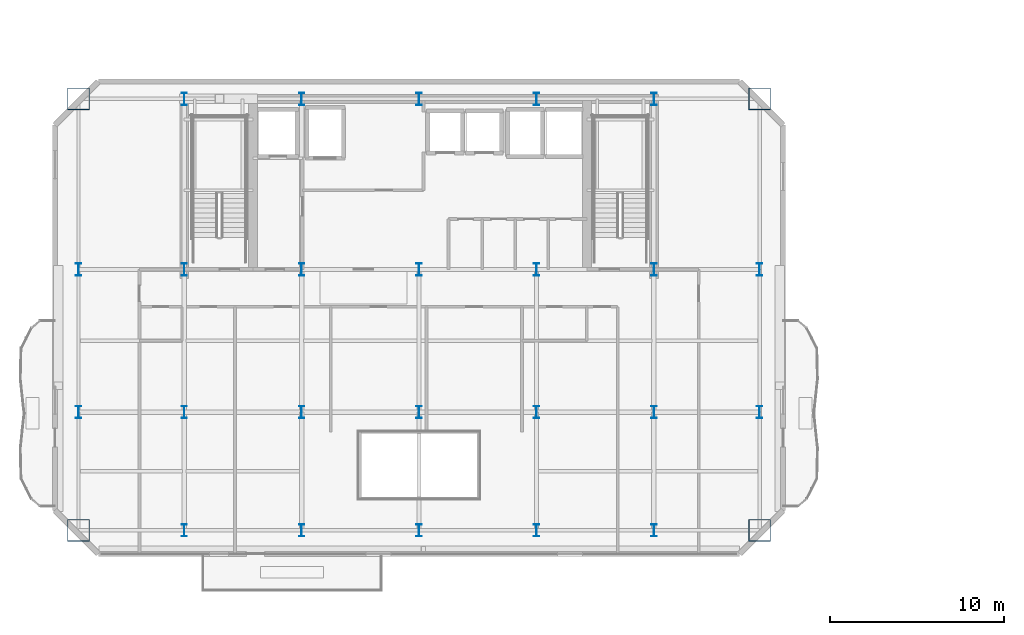
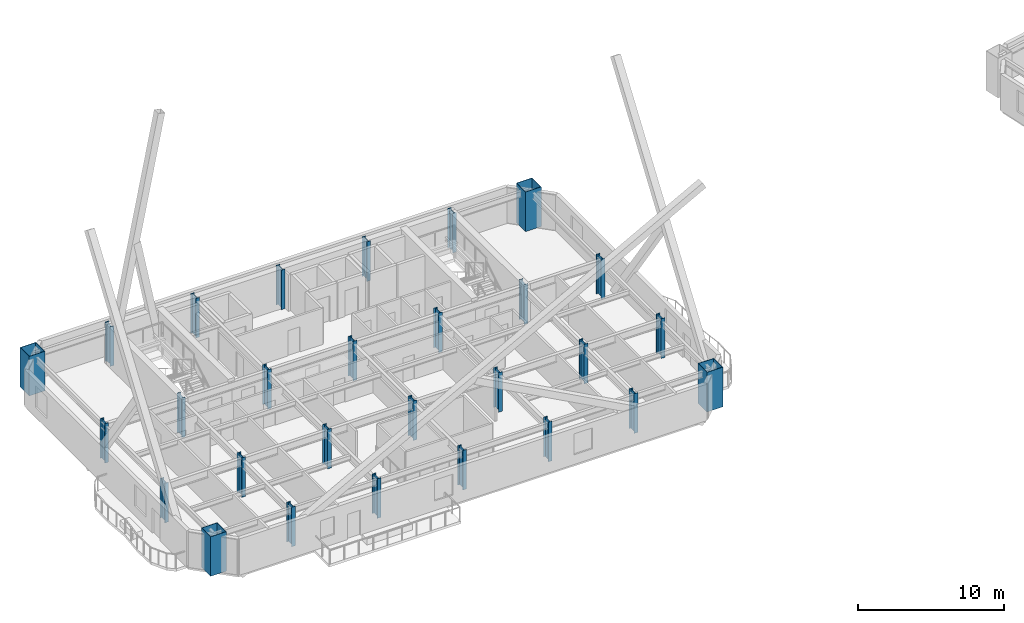
# One storey, part 1 of 19: 28 columns.
"""IFC4 building model written with IfcOpenShell, lengths in metres."""

from ifc_helpers import new_model, si_unit, direction, frame, origin, origin_2d, place, context, subcontext, project, spatial, hollow_rectangle, i_section, extrude, material, material_profile, profile_set, type_object, element, save


model = new_model("IFC4")

# Units and contexts
model_context = context("Model", 3, precision=1e-05, world=origin(), true_north=direction((0.0, 1.0)))
body_context = subcontext(model_context, "Body", "Model", "MODEL_VIEW")
ifc_project = project(units=[si_unit("LENGTHUNIT", "METRE"), si_unit("AREAUNIT", "SQUARE_METRE"), si_unit("VOLUMEUNIT", "CUBIC_METRE"), si_unit("PLANEANGLEUNIT", "RADIAN"), si_unit("MASSUNIT", "GRAM", prefix="KILO")], contexts=[model_context])

# Site, building, storey
site_placement = place(None, origin())
site = spatial("IfcSite", under=ifc_project, at=site_placement, CompositionType="ELEMENT")
building_placement = place(site_placement, origin())
building = spatial("IfcBuilding", under=site, at=building_placement, Name="Haevon Station Towers", CompositionType="ELEMENT")
storey_placement = place(building_placement, frame((0.0, 0.0, 156.0)))
storey = spatial("IfcBuildingStorey", under=building, at=storey_placement, Name="L42", CompositionType="ELEMENT", Elevation=156.0)

# Columns
ifc_material_1 = material(Name="Steel S460", Category="steel")
ifc_material_profile_1 = material_profile(ifc_material_1, hollow_rectangle(XDim=1.25, YDim=1.25, WallThickness=0.034912109375, at=origin_2d()), Name="BOX-1250x1250x35")
ifc_profile_set_1 = profile_set([ifc_material_profile_1], Name="Steel S460")
column_type_1 = type_object("IfcColumnType", Name="COL-MC4", PredefinedType="COLUMN", material=ifc_profile_set_1)
for number, where, z_axis, x_axis, name in (
    (1, (17.925048828125, 23.199951171875, 0.0), (0.0, 0.0, 1.0), (1.0, 0.0, 0.0), "COL-T1-L42-01-01"),
    (2, (17.925048828125, 48.0, 0.0), (0.0, 0.0, 1.0), (1.0, 0.0, 0.0), "COL-T1-L42-01-04"),
    (3, (57.074951171875, 23.199951171875, 0.0), (0.0, 0.0, 1.0), (1.0, 0.0, 0.0), "COL-T1-L42-07-01"),
    (4, (57.074951171875, 48.0, 0.0), (0.0, 0.0, 1.0), (1.0, 0.0, 0.0), "COL-T1-L42-07-04"),
):
    element("IfcColumn", number, at=place(storey_placement, frame(where, z_axis=z_axis, x_axis=x_axis)), inside=storey, type_object=column_type_1, Name=name, PredefinedType="COLUMN", context=body_context, shape_type="SweptSolid", body=[
        extrude(hollow_rectangle(XDim=1.25, YDim=1.25, WallThickness=0.034912109375, at=origin_2d()), origin(), (0.0, 0.0, 1.0), 3.300048828125),
    ])
ifc_material_2 = material(Name="Steel S355", Category="steel")
ifc_material_profile_2 = material_profile(ifc_material_2, i_section(OverallWidth=0.300048828125, OverallDepth=0.699951171875, WebThickness=0.01611328125, FlangeThickness=0.028076171875, at=origin_2d()), Name="H-700x300x16x28")
ifc_profile_set_2 = profile_set([ifc_material_profile_2], Name="Steel S355")
column_type_2 = type_object("IfcColumnType", Name="COL-TW3", PredefinedType="COLUMN", material=ifc_profile_set_2)
for number, where, z_axis, x_axis, name in (
    (5, (17.925048828125, 30.0, 0.0), (0.0, 0.0, 1.0), (1.0, 0.0, 0.0), "COL-T1-L42-01-02"),
    (6, (17.925048828125, 38.199951171875, 0.0), (0.0, 0.0, 1.0), (1.0, 0.0, 0.0), "COL-T1-L42-01-03"),
    (7, (24.0, 23.199951171875, 0.0), (0.0, 0.0, 1.0), (1.0, 0.0, 0.0), "COL-T1-L42-02-01"),
    (8, (24.0, 30.0, 0.0), (0.0, 0.0, 1.0), (1.0, 0.0, 0.0), "COL-T1-L42-02-02"),
    (9, (24.0, 38.199951171875, 0.0), (0.0, 0.0, 1.0), (1.0, 0.0, 0.0), "COL-T1-L42-02-03"),
    (10, (24.0, 48.0, 0.0), (0.0, 0.0, 1.0), (1.0, 0.0, 0.0), "COL-T1-L42-02-04"),
    (11, (30.75, 23.199951171875, 0.0), (0.0, 0.0, 1.0), (1.0, 0.0, 0.0), "COL-T1-L42-03-01"),
    (12, (30.75, 30.0, 0.0), (0.0, 0.0, 1.0), (1.0, 0.0, 0.0), "COL-T1-L42-03-02"),
    (13, (30.75, 38.199951171875, 0.0), (0.0, 0.0, 1.0), (1.0, 0.0, 0.0), "COL-T1-L42-03-03"),
    (14, (30.75, 48.0, 0.0), (0.0, 0.0, 1.0), (1.0, 0.0, 0.0), "COL-T1-L42-03-04"),
    (15, (37.5, 23.199951171875, 0.0), (0.0, 0.0, 1.0), (1.0, 0.0, 0.0), "COL-T1-L42-04-01"),
    (16, (37.5, 30.0, 0.0), (0.0, 0.0, 1.0), (1.0, 0.0, 0.0), "COL-T1-L42-04-02"),
    (17, (37.5, 38.199951171875, 0.0), (0.0, 0.0, 1.0), (1.0, 0.0, 0.0), "COL-T1-L42-04-03"),
    (18, (37.5, 48.0, 0.0), (0.0, 0.0, 1.0), (1.0, 0.0, 0.0), "COL-T1-L42-04-04"),
    (19, (44.25, 23.199951171875, 0.0), (0.0, 0.0, 1.0), (1.0, 0.0, 0.0), "COL-T1-L42-05-01"),
    (20, (44.25, 30.0, 0.0), (0.0, 0.0, 1.0), (1.0, 0.0, 0.0), "COL-T1-L42-05-02"),
    (21, (44.25, 38.199951171875, 0.0), (0.0, 0.0, 1.0), (1.0, 0.0, 0.0), "COL-T1-L42-05-03"),
    (22, (44.25, 48.0, 0.0), (0.0, 0.0, 1.0), (1.0, 0.0, 0.0), "COL-T1-L42-05-04"),
    (23, (51.0, 23.199951171875, 0.0), (0.0, 0.0, 1.0), (1.0, 0.0, 0.0), "COL-T1-L42-06-01"),
    (24, (51.0, 30.0, 0.0), (0.0, 0.0, 1.0), (1.0, 0.0, 0.0), "COL-T1-L42-06-02"),
    (25, (51.0, 38.199951171875, 0.0), (0.0, 0.0, 1.0), (1.0, 0.0, 0.0), "COL-T1-L42-06-03"),
    (26, (51.0, 48.0, 0.0), (0.0, 0.0, 1.0), (1.0, 0.0, 0.0), "COL-T1-L42-06-04"),
    (27, (57.074951171875, 30.0, 0.0), (0.0, 0.0, 1.0), (1.0, 0.0, 0.0), "COL-T1-L42-07-02"),
    (28, (57.074951171875, 38.199951171875, 0.0), (0.0, 0.0, 1.0), (1.0, 0.0, 0.0), "COL-T1-L42-07-03"),
):
    element("IfcColumn", number, at=place(storey_placement, frame(where, z_axis=z_axis, x_axis=x_axis)), inside=storey, type_object=column_type_2, Name=name, PredefinedType="COLUMN", context=body_context, shape_type="SweptSolid", body=[
        extrude(i_section(OverallWidth=0.300048828125, OverallDepth=0.699951171875, WebThickness=0.01611328125, FlangeThickness=0.028076171875, at=origin_2d()), origin(), (0.0, 0.0, 1.0), 3.300048828125),
    ])

save(model, "model.ifc")
